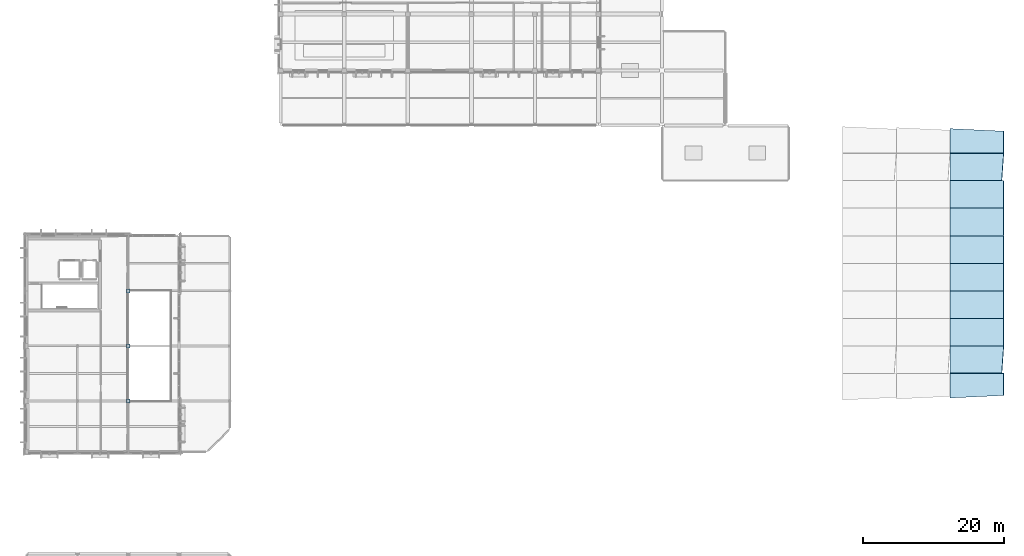
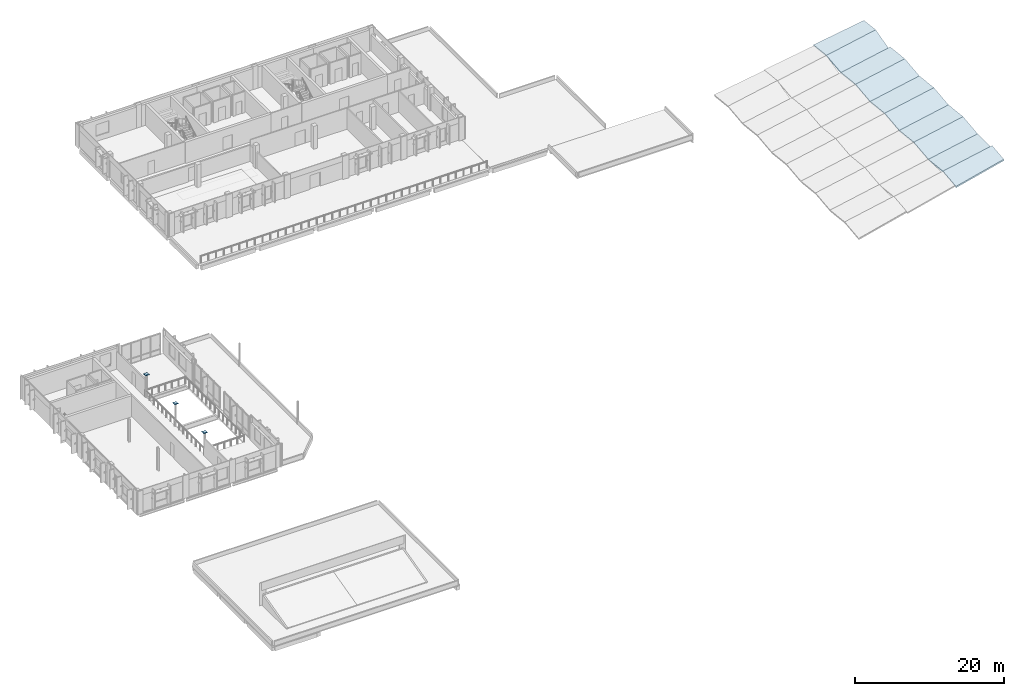
# One storey, part 9 of 23: 10 slabs, 3 plates.
"""IFC4 building model written with IfcOpenShell, lengths in metres."""

import ifcopenshell
import ifcopenshell.guid

model = None  # the IFC model being written
_history = None  # IfcOwnerHistory: only IFC2X3 demands one
_inside = {}  # id of a spatial element -> (the spatial element, [elements in it])
_under = {}  # id of a project, library or spatial element -> (it, [spatial elements below it])
_declared = {}  # id of a project -> (the project, [libraries it declares])
_typed = {}  # id of a type object -> (the type object, [elements of that type])
_made_of = {}  # id of a material, layer set ... -> (it, [elements and type objects made of it])


def new_model(schema):
    """Start an empty IFC model of exactly this schema.

    Asked for "IFC4X3", IfcOpenShell would pick the latest addendum, in which some entities
    have other attributes; the version numbers below select the first issue.
    IFC2X3 requires an IfcOwnerHistory on every rooted entity: one is made here for all.
    """
    global model, _history
    if schema == "IFC4X3":
        model = ifcopenshell.file(schema_version=(4, 3, 0, 0))
    else:
        model = ifcopenshell.file(schema=schema)
    _inside.clear()
    _under.clear()
    _declared.clear()
    _typed.clear()
    _made_of.clear()
    _history = None
    if model.schema == "IFC2X3":
        org = make("IfcOrganization", Name="unknown")
        user = make(
            "IfcPersonAndOrganization",
            ThePerson=make("IfcPerson", FamilyName="unknown"),
            TheOrganization=org,
        )
        app = make(
            "IfcApplication",
            ApplicationDeveloper=org,
            Version="unknown",
            ApplicationFullName="unknown",
            ApplicationIdentifier="unknown",
        )
        _history = make(
            "IfcOwnerHistory",
            OwningUser=user,
            OwningApplication=app,
            ChangeAction="ADDED",
            CreationDate=0,
        )
    return model


def make(cls, **values):
    """One entity of the class cls with the attributes given. An attribute that is None is left unset."""
    return model.create_entity(
        cls, **{name: value for name, value in values.items() if value is not None}
    )


def rooted(cls, **values):
    """An entity with a GlobalId (a new one), such as an element, a storey or a relation."""
    return make(cls, GlobalId=ifcopenshell.guid.new(), OwnerHistory=_history, **values)


def si_unit(unit_type, name, prefix=None):
    """IfcSIUnit, for example si_unit("LENGTHUNIT", "METRE", prefix="MILLI")."""
    return make("IfcSIUnit", UnitType=unit_type, Prefix=prefix, Name=name)


def assignment(units):
    """IfcUnitAssignment: the units of a project."""
    return None if units is None else make("IfcUnitAssignment", Units=units)


def point(xyz):
    """IfcCartesianPoint."""
    return None if xyz is None else make("IfcCartesianPoint", Coordinates=xyz)


def direction(xyz):
    """IfcDirection."""
    return None if xyz is None else make("IfcDirection", DirectionRatios=xyz)


def frame(location, z_axis=None, x_axis=None):
    """IfcAxis2Placement3D, a coordinate frame: its origin and axes. An axis left out is left unset."""
    return make(
        "IfcAxis2Placement3D",
        Location=point(location),
        Axis=direction(z_axis),
        RefDirection=direction(x_axis),
    )


def frame_2d(location, x_axis=None):
    """IfcAxis2Placement2D, a coordinate frame in the plane: its origin and x axis."""
    return make(
        "IfcAxis2Placement2D", Location=point(location), RefDirection=direction(x_axis)
    )


def origin():
    """The frame at (0, 0, 0) with its axes left unset."""
    return frame((0.0, 0.0, 0.0))


def origin_2d():
    """The frame at (0, 0) in the plane with its x axis left unset."""
    return frame_2d((0.0, 0.0))


def place(relative_to, where):
    """IfcLocalPlacement: puts the frame where relative to a parent placement (None: the world)."""
    return make(
        "IfcLocalPlacement", PlacementRelTo=relative_to, RelativePlacement=where
    )


def context(
    kind, dimensions, precision=None, world=None, true_north=None, identifier=None
):
    """IfcGeometricRepresentationContext, for example the 3D "Model" context."""
    return make(
        "IfcGeometricRepresentationContext",
        ContextIdentifier=identifier,
        ContextType=kind,
        CoordinateSpaceDimension=dimensions,
        Precision=precision,
        WorldCoordinateSystem=world,
        TrueNorth=true_north,
    )


def subcontext(parent, identifier, kind, view, scale=None):
    """IfcGeometricRepresentationSubContext, for example "Body" below "Model"."""
    return make(
        "IfcGeometricRepresentationSubContext",
        ContextIdentifier=identifier,
        ContextType=kind,
        ParentContext=parent,
        TargetScale=scale,
        TargetView=view,
    )


def project(units=None, contexts=None):
    """IfcProject with its units and contexts."""
    return rooted(
        "IfcProject",
        Name="project",
        RepresentationContexts=contexts,
        UnitsInContext=assignment(units),
    )


def spatial(cls, under=None, at=None, **own):
    """A site, building, storey or space (cls), placed at a placement, below another one or the project."""
    s = rooted(cls, ObjectPlacement=at, **own)
    if under is not None:
        _under.setdefault(under.id(), (under, []))[1].append(s)
    return s


def polyline(points):
    """IfcPolyline through the points."""
    return make("IfcPolyline", Points=[point(p) for p in points])


def profile(cls, at=None, kind="AREA", **sizes):
    """A parametric profile (cls). Its sizes go by their IFC names, for example OverallWidth=200.0."""
    return make(cls, ProfileType=kind, Position=at, **sizes)


def rectangle(**sizes):
    """IfcRectangleProfileDef."""
    return profile("IfcRectangleProfileDef", **sizes)


def outline(outer, holes=None, kind="AREA"):
    """IfcArbitraryClosedProfileDef: a profile drawn as a closed curve; with holes, ...WithVoids."""
    if holes is None:
        return make("IfcArbitraryClosedProfileDef", ProfileType=kind, OuterCurve=outer)
    return make(
        "IfcArbitraryProfileDefWithVoids",
        ProfileType=kind,
        OuterCurve=outer,
        InnerCurves=holes,
    )


def extrude(swept, where, along, depth):
    """IfcExtrudedAreaSolid: the profile swept, set in the frame where, extruded along a direction by depth."""
    return make(
        "IfcExtrudedAreaSolid",
        SweptArea=swept,
        Position=where,
        ExtrudedDirection=direction(along),
        Depth=depth,
    )


def shape(context_of_items, identifier, shape_type, items):
    """IfcShapeRepresentation: the items that make up one representation, for example the "Body"."""
    return make(
        "IfcShapeRepresentation",
        ContextOfItems=context_of_items,
        RepresentationIdentifier=identifier,
        RepresentationType=shape_type,
        Items=items,
    )


def material(Name=None, Category=None):
    """IfcMaterial."""
    return make("IfcMaterial", Name=Name, Category=Category)


def layer(
    of_material, thickness, ventilated=None, Name=None, Category=None, Priority=None
):
    """IfcMaterialLayer: one layer of a wall or slab, of a material (None: an air gap)."""
    return make(
        "IfcMaterialLayer",
        Material=of_material,
        LayerThickness=thickness,
        IsVentilated=ventilated,
        Name=Name,
        Category=Category,
        Priority=Priority,
    )


def layer_set(layers, Name=None):
    """IfcMaterialLayerSet."""
    return make("IfcMaterialLayerSet", MaterialLayers=layers, LayerSetName=Name)


def made_of(thing, what):
    """Note that an element or type object is made of a material, layer set ...; save() writes the relation."""
    if what is not None:
        _made_of.setdefault(what.id(), (what, []))[1].append(thing)
    return thing


def type_object(cls, material=None, **own):
    """A type object (cls), such as IfcWallType, which elements share."""
    return made_of(rooted(cls, **own), material)


def element(
    cls,
    number,
    at=None,
    inside=None,
    cuts=None,
    type_object=None,
    material=None,
    context=None,
    identifier="Body",
    shape_type=None,
    held_by="IfcProductDefinitionShape",
    body=None,
    shapes=None,
    **own,
):
    """One element of the class cls, such as IfcWall. Its Tag is "e" and its number.

    at: its placement. inside: the storey or other place that contains it. cuts: it is an
    opening in that element (IfcRelVoidsElement). A single representation is given by context,
    identifier, shape_type and body (its items); several are given by shapes. held_by: the class
    of the entity that holds the representations. save() writes the other relations.
    """
    e = rooted(cls, Tag="e%d" % number, ObjectPlacement=at, **own)
    if body is not None:
        shapes = [shape(context, identifier, shape_type, body)]
    if shapes is not None:
        e.Representation = make(held_by, Representations=shapes)
    if inside is not None:
        _inside.setdefault(inside.id(), (inside, []))[1].append(e)
    if cuts is not None:
        rooted(
            "IfcRelVoidsElement", RelatingBuildingElement=cuts, RelatedOpeningElement=e
        )
    if type_object is not None:
        _typed.setdefault(type_object.id(), (type_object, []))[1].append(e)
    return made_of(e, material)


def aggregate(whole, parts):
    """IfcRelAggregates: a whole, such as a stair, and the parts it consists of."""
    return rooted("IfcRelAggregates", RelatingObject=whole, RelatedObjects=parts)


def save(model, path):
    """Write the relations noted so far, then the file.

    IfcRelAggregates (storeys below a building ...), IfcRelContainedInSpatialStructure (elements
    in a storey), IfcRelDefinesByType, IfcRelAssociatesMaterial and IfcRelDeclares: one each for
    every whole, place, type object, material and project.
    """
    for whole, parts in _under.values():
        aggregate(whole, parts)
    for where, things in _inside.values():
        rooted(
            "IfcRelContainedInSpatialStructure",
            RelatedElements=things,
            RelatingStructure=where,
        )
    for kind, things in _typed.values():
        rooted("IfcRelDefinesByType", RelatedObjects=things, RelatingType=kind)
    for what, things in _made_of.values():
        rooted("IfcRelAssociatesMaterial", RelatedObjects=things, RelatingMaterial=what)
    for by, libraries in _declared.values():
        rooted("IfcRelDeclares", RelatingContext=by, RelatedDefinitions=libraries)
    model.write(path)


model = new_model("IFC4")

# Units and contexts
model_context = context("Model", 3, precision=1e-05, world=origin(), true_north=direction((0.0, 1.0)))
body_context = subcontext(model_context, "Body", "Model", "MODEL_VIEW")
ifc_project = project(units=[si_unit("LENGTHUNIT", "METRE"), si_unit("AREAUNIT", "SQUARE_METRE"), si_unit("VOLUMEUNIT", "CUBIC_METRE"), si_unit("PLANEANGLEUNIT", "RADIAN"), si_unit("MASSUNIT", "GRAM", prefix="KILO")], contexts=[model_context])

# Site, building, storey
site_placement = place(None, origin())
site = spatial("IfcSite", under=ifc_project, at=site_placement, CompositionType="ELEMENT")
building_placement = place(site_placement, origin())
building = spatial("IfcBuilding", under=site, at=building_placement, Name="Vervanel Yard Central Library", CompositionType="ELEMENT")
storey_placement = place(building_placement, frame((0.0, 0.0, 16.52001953125)))
storey = spatial("IfcBuildingStorey", under=building, at=storey_placement, Name="L04", CompositionType="ELEMENT", Elevation=16.52001953125)

# Plates
ifc_material_1 = material(Name="Steel ASTM A572 Grade 50", Category="steel")
ifc_layer_1 = layer(ifc_material_1, 0.030029296875, Category="steel")
ifc_layer_set_1 = layer_set([ifc_layer_1], Name="Steel ASTM A572 Grade 50")
plate_type = type_object("IfcPlateType", Name="Bridge Pier Base Plate 30", PredefinedType="SHEET", material=ifc_layer_set_1)
for number, where, z_axis, x_axis, name in (
    (1, (14.39990234375, 43.199951171875, 3.73974609375), (0.0, 0.0, 1.0), (1.0, 0.0, 0.0), "L04 HSS Column Top Cap Plate 26"),
    (2, (14.39990234375, 51.0, 3.73974609375), (0.0, 0.0, 1.0), (1.0, 0.0, 0.0), "L04 HSS Column Top Cap Plate 27"),
    (3, (14.39990234375, 58.800048828125, 3.73974609375), (0.0, 0.0, 1.0), (1.0, 0.0, 0.0), "L04 HSS Column Top Cap Plate 28"),
):
    element("IfcPlate", number, at=place(storey_placement, frame(where, z_axis=z_axis, x_axis=x_axis)), inside=storey, type_object=plate_type, Name=name, PredefinedType="SHEET", context=body_context, shape_type="SweptSolid", body=[
        extrude(rectangle(XDim=0.550048828125, YDim=0.550048828125, at=origin_2d()), origin(), (0.0, 0.0, 1.0), 0.030029296875),
    ])

# Slabs
ifc_material_2 = material(Name="Concrete C45/55", Category="concrete")
ifc_layer_2 = layer(ifc_material_2, 0.260009765625, Category="concrete")
ifc_layer_set_2 = layer_set([ifc_layer_2], Name="Concrete C45/55")
slab_type = type_object("IfcSlabType", Name="Folded Shell Roof Fulcrum Plate 260", PredefinedType="ROOF", material=ifc_layer_set_2)
slab_1_placement = place(storey_placement, frame((130.800048828125, 43.6201171875, 2.878173828125), z_axis=(-0.19459559705, -0.109325616681, 0.974772005726), x_axis=(0.978586124025, 0.046338416892, 0.200554104882)))
element("IfcSlab", 4, at=slab_1_placement, inside=storey, type_object=slab_type, Name="L04 V3 Folded Shell Roof Fulcrum Plate 260 V3-FS-B4-S01", PredefinedType="ROOF", context=body_context, shape_type="SweptSolid", body=[
    extrude(outline(polyline([(0.0, 0.0), (7.76617321055433, -5.551115123125783e-17), (7.980919060205213, 3.132317506188102), (0.2395492695504366, 3.4936052179793204), (0.0, 0.0)])), origin(), (0.0, 0.0, -1.0), 0.260009765625),
])
slab_2_placement = place(storey_placement, frame((130.800048828125, 47.10009765625, 3.2685546875), z_axis=(-0.194581294514, 0.10934495259, 0.974772692051), x_axis=(0.980652828841, 4.16256e-07, 0.195755023653)))
element("IfcSlab", 5, at=slab_2_placement, inside=storey, type_object=slab_type, Name="L04 V3 Folded Shell Roof Fulcrum Plate 260 V3-FS-B4-S02", PredefinedType="ROOF", context=body_context, shape_type="SweptSolid", body=[
    extrude(outline(polyline([(0.0, 0.0), (7.464479390554649, 2.7755575615628914e-17), (7.664154607633423, 3.923424541234858), (-0.08564119949072557, 3.9234309124704962), (0.0, 0.0)])), origin(), (0.0, 0.0, -1.0), 0.260009765625),
])
slab_3_placement = place(storey_placement, frame((130.800048828125, 51.0, 2.8310546875), z_axis=(-0.194584736914, -0.109352072213, 0.974771206213), x_axis=(0.980652097773, 0.0, 0.19575868597)))
element("IfcSlab", 6, at=slab_3_placement, inside=storey, type_object=slab_type, Name="L04 V3 Folded Shell Roof Fulcrum Plate 260 V3-FS-B4-S03", PredefinedType="ROOF", context=body_context, shape_type="SweptSolid", body=[
    extrude(outline(polyline([(0.0, 0.0), (7.749795807178863, 0.0), (7.835440232290786, 3.9234308421627606), (0.08564442511192301, 3.9234308421627606), (0.0, 0.0)])), origin(), (0.0, 0.0, -1.0), 0.260009765625),
])
slab_4_placement = place(storey_placement, frame((130.800048828125, 54.89990234375, 3.2685546875), z_axis=(-0.194584882564, 0.10934530886, 0.974771935843), x_axis=(0.980652097773, 0.0, 0.19575868597)))
element("IfcSlab", 7, at=slab_4_placement, inside=storey, type_object=slab_type, Name="L04 V3 Folded Shell Roof Fulcrum Plate 260 V3-FS-B4-S04", PredefinedType="ROOF", context=body_context, shape_type="SweptSolid", body=[
    extrude(outline(polyline([(0.0, 0.0), (7.749795807178863, 0.0), (7.664151382066939, 3.923673518786944), (-0.08564442511192301, 3.923673518786944), (0.0, 0.0)])), origin(), (0.0, 0.0, -1.0), 0.260009765625),
])
slab_5_placement = place(storey_placement, frame((130.800048828125, 58.800048828125, 2.8310546875), z_axis=(-0.194584736914, -0.109352072213, 0.974771206213), x_axis=(0.980652097773, 0.0, 0.19575868597)))
element("IfcSlab", 8, at=slab_5_placement, inside=storey, type_object=slab_type, Name="L04 V3 Folded Shell Roof Fulcrum Plate 260 V3-FS-B4-S05", PredefinedType="ROOF", context=body_context, shape_type="SweptSolid", body=[
    extrude(outline(polyline([(0.0, 0.0), (7.749795807178863, 0.0), (7.835440232290786, 3.9234308421627606), (0.08564442511192301, 3.9234308421627606), (0.0, 0.0)])), origin(), (0.0, 0.0, -1.0), 0.260009765625),
])
slab_6_placement = place(storey_placement, frame((130.800048828125, 62.699951171875, 3.2685546875), z_axis=(-0.194584882564, 0.10934530886, 0.974771935843), x_axis=(0.980652097773, 0.0, 0.19575868597)))
element("IfcSlab", 9, at=slab_6_placement, inside=storey, type_object=slab_type, Name="L04 V3 Folded Shell Roof Fulcrum Plate 260 V3-FS-B4-S06", PredefinedType="ROOF", context=body_context, shape_type="SweptSolid", body=[
    extrude(outline(polyline([(0.0, 0.0), (7.749795807178863, 0.0), (7.664151382066939, 3.923673518786944), (-0.08564442511192301, 3.923673518786944), (0.0, 0.0)])), origin(), (0.0, 0.0, -1.0), 0.260009765625),
])
slab_7_placement = place(storey_placement, frame((130.800048828125, 66.60009765625, 2.8310546875), z_axis=(-0.194584736914, -0.109352072213, 0.974771206213), x_axis=(0.980652097773, 0.0, 0.19575868597)))
element("IfcSlab", 10, at=slab_7_placement, inside=storey, type_object=slab_type, Name="L04 V3 Folded Shell Roof Fulcrum Plate 260 V3-FS-B4-S07", PredefinedType="ROOF", context=body_context, shape_type="SweptSolid", body=[
    extrude(outline(polyline([(0.0, 0.0), (7.749795807178863, 0.0), (7.835440232290786, 3.9234308421627606), (0.08564442511192301, 3.9234308421627606), (0.0, 0.0)])), origin(), (0.0, 0.0, -1.0), 0.260009765625),
])
slab_8_placement = place(storey_placement, frame((130.800048828125, 70.5, 3.2685546875), z_axis=(-0.194584736914, 0.109352072213, 0.974771206213), x_axis=(0.980652097773, 0.0, 0.19575868597)))
element("IfcSlab", 11, at=slab_8_placement, inside=storey, type_object=slab_type, Name="L04 V3 Folded Shell Roof Fulcrum Plate 260 V3-FS-B4-S08", PredefinedType="ROOF", context=body_context, shape_type="SweptSolid", body=[
    extrude(outline(polyline([(0.0, 0.0), (7.749795807178863, 0.0), (7.664151382066939, 3.92343084216276), (-0.08564442511192301, 3.9234308421627606), (0.0, 0.0)])), origin(), (0.0, 0.0, -1.0), 0.260009765625),
])
slab_9_placement = place(storey_placement, frame((130.800048828125, 74.39990234375, 2.8310546875), z_axis=(-0.194581130106, -0.109352587144, 0.974771868435), x_axis=(0.980652828842, -4.16285e-07, 0.195755023647)))
element("IfcSlab", 12, at=slab_9_placement, inside=storey, type_object=slab_type, Name="L04 V3 Folded Shell Roof Fulcrum Plate 260 V3-FS-B4-S09", PredefinedType="ROOF", context=body_context, shape_type="SweptSolid", body=[
    extrude(outline(polyline([(0.0, 0.0), (7.46447939055465, 2.7755575615628914e-17), (7.835437006398525, 3.9236799607755373), (0.0856411992743777, 3.9236735890950536), (0.0, 0.0)])), origin(), (0.0, 0.0, -1.0), 0.260009765625),
])
slab_10_placement = place(storey_placement, frame((130.800048828125, 78.300048828125, 3.2685546875), z_axis=(-0.194593729313, 0.109329651894, 0.974771926006), x_axis=(0.980650409221, 9.48709e-07, 0.19576714457)))
element("IfcSlab", 13, at=slab_10_placement, inside=storey, type_object=slab_type, Name="L04 V3 Folded Shell Roof Fulcrum Plate 260 V3-FS-B4-S10", PredefinedType="ROOF", context=body_context, shape_type="SweptSolid", body=[
    extrude(outline(polyline([(0.0, 0.0), (7.749795806887086, 2.7755575615628914e-17), (7.681308942967287, 3.1386804322772783), (-0.07642044464556252, 3.500974320009444), (0.0, 0.0)])), origin(), (0.0, 0.0, -1.0), 0.260009765625),
])

save(model, "model.ifc")
